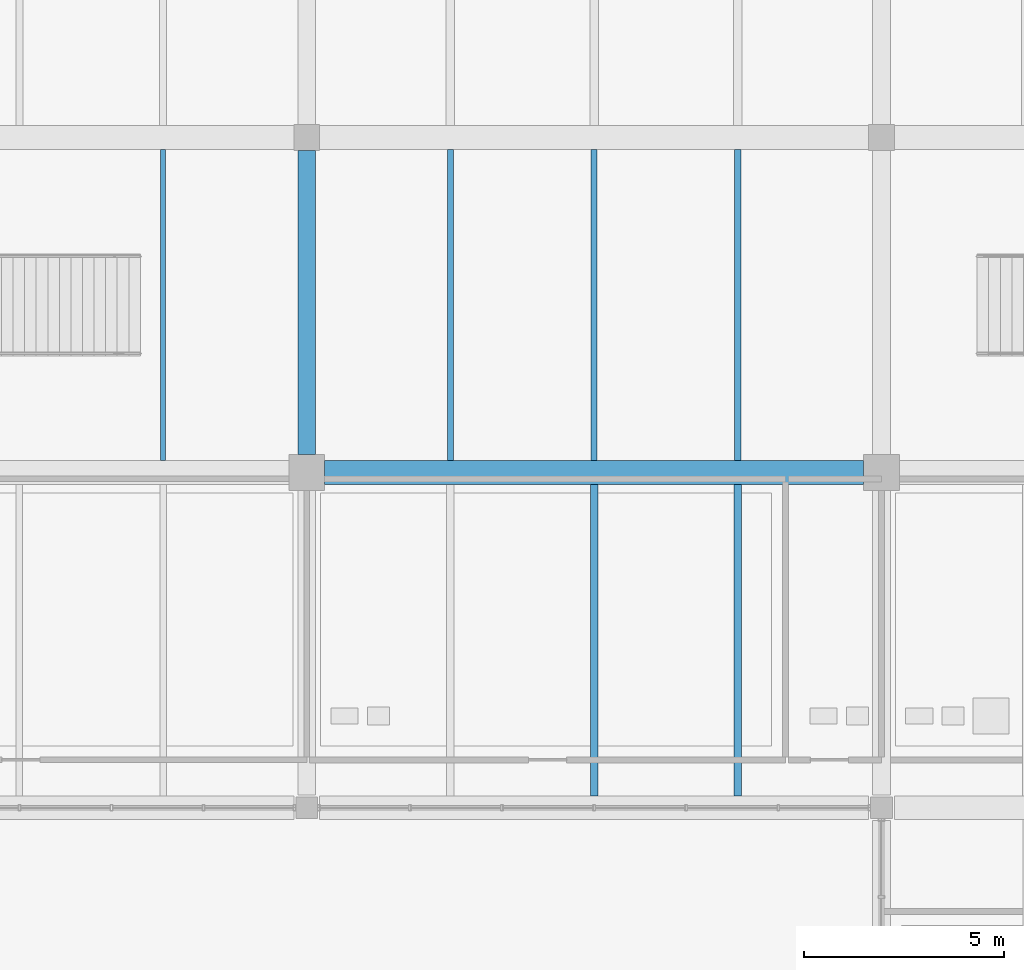
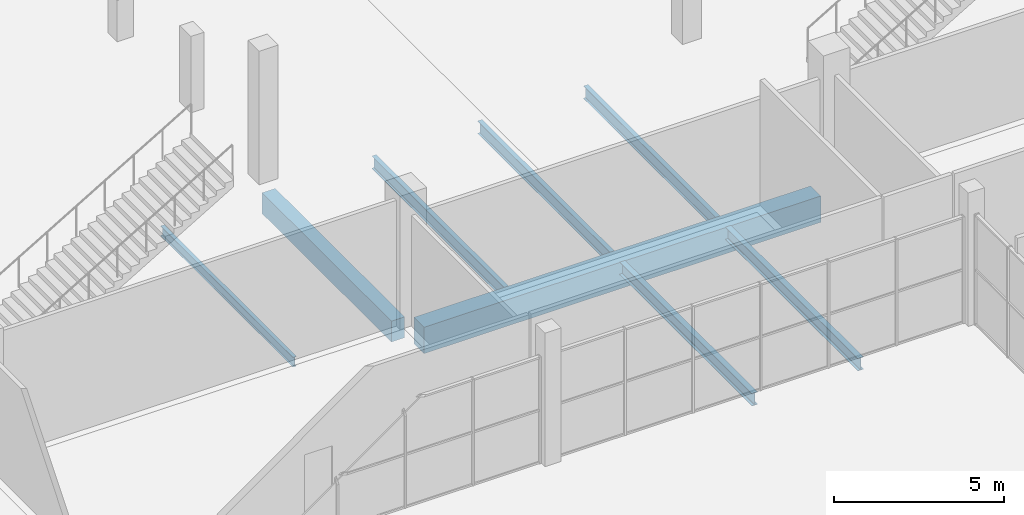
# One storey, part 27 of 130: 8 beams.
"""IFC4 building model written with IfcOpenShell, lengths in metres."""

from ifc_helpers import new_model, si_unit, direction, frame, origin, origin_2d, place, context, subcontext, project, spatial, rectangle, i_section, extrude, material, material_profile, profile_set, type_object, element, save


model = new_model("IFC4")

# Units and contexts
model_context = context("Model", 3, precision=1e-05, world=origin(), true_north=direction((0.0, 1.0)))
body_context = subcontext(model_context, "Body", "Model", "MODEL_VIEW")
ifc_project = project(units=[si_unit("LENGTHUNIT", "METRE"), si_unit("AREAUNIT", "SQUARE_METRE"), si_unit("VOLUMEUNIT", "CUBIC_METRE"), si_unit("PLANEANGLEUNIT", "RADIAN"), si_unit("MASSUNIT", "GRAM", prefix="KILO"), si_unit("THERMODYNAMICTEMPERATUREUNIT", "KELVIN")], contexts=[model_context])

# Site, building, storey
site_placement = place(None, origin())
site = spatial("IfcSite", under=ifc_project, at=site_placement, CompositionType="ELEMENT")
building_placement = place(site_placement, origin())
building = spatial("IfcBuilding", under=site, at=building_placement, Name="Nduvali Passage Aquatics Centre", CompositionType="ELEMENT")
storey_placement = place(building_placement, origin())
storey = spatial("IfcBuildingStorey", under=building, at=storey_placement, Name="L00", CompositionType="ELEMENT", Elevation=0.0)

# Beams
ifc_material_1 = material(Name="Concrete C40/50", Category="concrete")
ifc_material_profile_1 = material_profile(ifc_material_1, rectangle(XDim=0.449951171875, YDim=0.75, at=origin_2d()), Name="RC 450x750")
ifc_profile_set_1 = profile_set([ifc_material_profile_1], Name="Concrete C40/50")
beam_type_1 = type_object("IfcBeamType", Name="STR-BM-RC4575", PredefinedType="BEAM", material=ifc_profile_set_1)
beam_1_placement = place(storey_placement, frame((82.800048828125, 25.64990234375, -0.695068359375), z_axis=(0.0, 1.0, 0.0), x_axis=(-1.0, 0.0, 0.0)))
element("IfcBeam", 1, at=beam_1_placement, inside=storey, type_object=beam_type_1, Name="L00 Primary Y-Girder B3-0162", PredefinedType="BEAM", context=body_context, shape_type="SweptSolid", body=[
    extrude(rectangle(XDim=0.449951171875, YDim=0.75, at=origin_2d()), origin(), (0.0, 0.0, 1.0), 7.625),
])
ifc_material_profile_2 = material_profile(ifc_material_1, rectangle(XDim=0.60009765625, YDim=0.949951171875, at=origin_2d()), Name="RC 600x950")
ifc_profile_set_2 = profile_set([ifc_material_profile_2], Name="Concrete C40/50")
beam_type_2 = type_object("IfcBeamType", Name="STR-BM-RC6095-EXT", PredefinedType="BEAM", material=ifc_profile_set_2)
beam_2_placement = place(storey_placement, frame((83.25, 25.199951171875, -0.794921875), z_axis=(1.0, 0.0, 0.0), x_axis=(0.0, 1.0, 0.0)))
element("IfcBeam", 2, at=beam_2_placement, inside=storey, type_object=beam_type_2, Name="L00 Primary X-Girder B1E-0019", PredefinedType="BEAM", context=body_context, shape_type="SweptSolid", body=[
    extrude(rectangle(XDim=0.60009765625, YDim=0.949951171875, at=origin_2d()), origin(), (0.0, 0.0, 1.0), 13.5),
])
ifc_material_2 = material(Name="Steel S355", Category="steel")
ifc_material_profile_3 = material_profile(ifc_material_2, i_section(OverallWidth=0.18994140625, OverallDepth=0.449951171875, WebThickness=0.009521484375, FlangeThickness=0.0146484375, FilletRadius=0.02099609375, at=origin_2d()), Name="IPE 450")
ifc_profile_set_3 = profile_set([ifc_material_profile_3], Name="Steel S355")
beam_type_3 = type_object("IfcBeamType", Name="STR-JST-IPE450", PredefinedType="JOIST", material=ifc_profile_set_3)
for number, where, z_axis, x_axis, name in (
    (3, (90.0, 17.10009765625, -0.529052734375), (0.0, 1.0, 0.0), (-1.0, 0.0, 0.0), "L00 Secondary Joist J5B-0283"),
    (4, (93.60009765625, 17.10009765625, -0.529052734375), (0.0, 1.0, 0.0), (-1.0, 0.0, 0.0), "L00 Secondary Joist J5B-0284"),
):
    element("IfcBeam", number, at=place(storey_placement, frame(where, z_axis=z_axis, x_axis=x_axis)), inside=storey, type_object=beam_type_3, Name=name, PredefinedType="JOIST", context=body_context, shape_type="SweptSolid", body=[
        extrude(i_section(OverallWidth=0.18994140625, OverallDepth=0.449951171875, WebThickness=0.009521484375, FlangeThickness=0.0146484375, FilletRadius=0.02099609375, at=origin_2d()), origin(), (0.0, 0.0, 1.0), 7.7998046875),
    ])
ifc_material_profile_4 = material_profile(ifc_material_2, i_section(OverallWidth=0.1259765625, OverallDepth=0.353515625, WebThickness=0.006591796875, FlangeThickness=0.0107421875, FilletRadius=0.01025390625, at=origin_2d()), Name="UKB 356x127x39")
ifc_profile_set_4 = profile_set([ifc_material_profile_4], Name="Steel S355")
beam_type_4 = type_object("IfcBeamType", Name="STR-JST-UKB356L", PredefinedType="JOIST", material=ifc_profile_set_4)
beam_3_placement = place(storey_placement, frame((79.199951171875, 25.5, -0.500732421875), z_axis=(0.0, 1.0, 0.0), x_axis=(-1.0, 0.0, 0.0)))
element("IfcBeam", 5, at=beam_3_placement, inside=storey, type_object=beam_type_4, Name="L00 Secondary Joist J2A-0295", PredefinedType="JOIST", context=body_context, shape_type="SweptSolid", body=[
    extrude(i_section(OverallWidth=0.1259765625, OverallDepth=0.353515625, WebThickness=0.006591796875, FlangeThickness=0.0107421875, FilletRadius=0.01025390625, at=origin_2d()), origin(), (0.0, 0.0, 1.0), 7.800048828125),
])
ifc_material_profile_5 = material_profile(ifc_material_2, i_section(OverallWidth=0.15283203125, OverallDepth=0.45458984375, WebThickness=0.008056640625, FlangeThickness=0.01318359375, FilletRadius=0.01025390625, at=origin_2d()), Name="UKB 457x152x60")
ifc_profile_set_5 = profile_set([ifc_material_profile_5], Name="Steel S355")
beam_type_5 = type_object("IfcBeamType", Name="STR-JST-UKB457L", PredefinedType="JOIST", material=ifc_profile_set_5)
for number, where, z_axis, x_axis, name in (
    (6, (86.39990234375, 25.5, -0.55126953125), (0.0, 1.0, 0.0), (-1.0, 0.0, 0.0), "L00 Secondary Joist J1A-0296"),
    (7, (90.0, 25.5, -0.55126953125), (0.0, 1.0, 0.0), (-1.0, 0.0, 0.0), "L00 Secondary Joist J1A-0297"),
    (8, (93.60009765625, 25.5, -0.55126953125), (0.0, 1.0, 0.0), (-1.0, 0.0, 0.0), "L00 Secondary Joist J1A-0298"),
):
    element("IfcBeam", number, at=place(storey_placement, frame(where, z_axis=z_axis, x_axis=x_axis)), inside=storey, type_object=beam_type_5, Name=name, PredefinedType="JOIST", context=body_context, shape_type="SweptSolid", body=[
        extrude(i_section(OverallWidth=0.15283203125, OverallDepth=0.45458984375, WebThickness=0.008056640625, FlangeThickness=0.01318359375, FilletRadius=0.01025390625, at=origin_2d()), origin(), (0.0, 0.0, 1.0), 7.800048828125),
    ])

save(model, "model.ifc")
